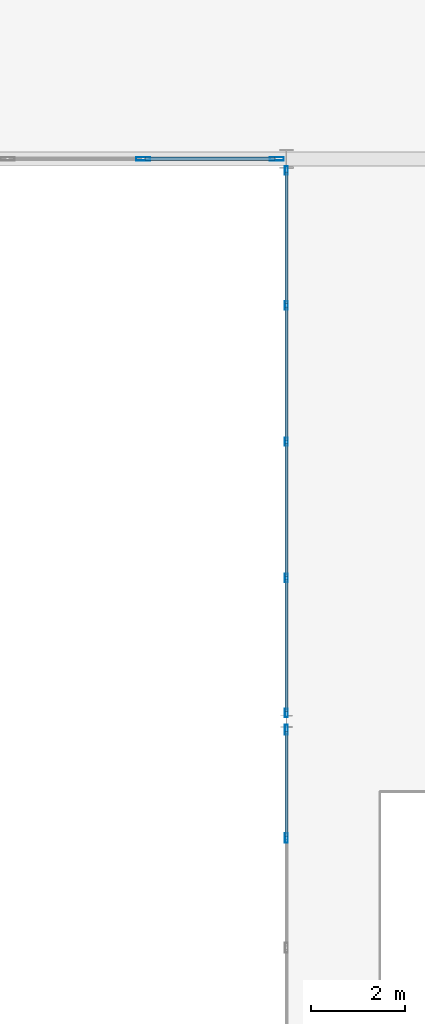
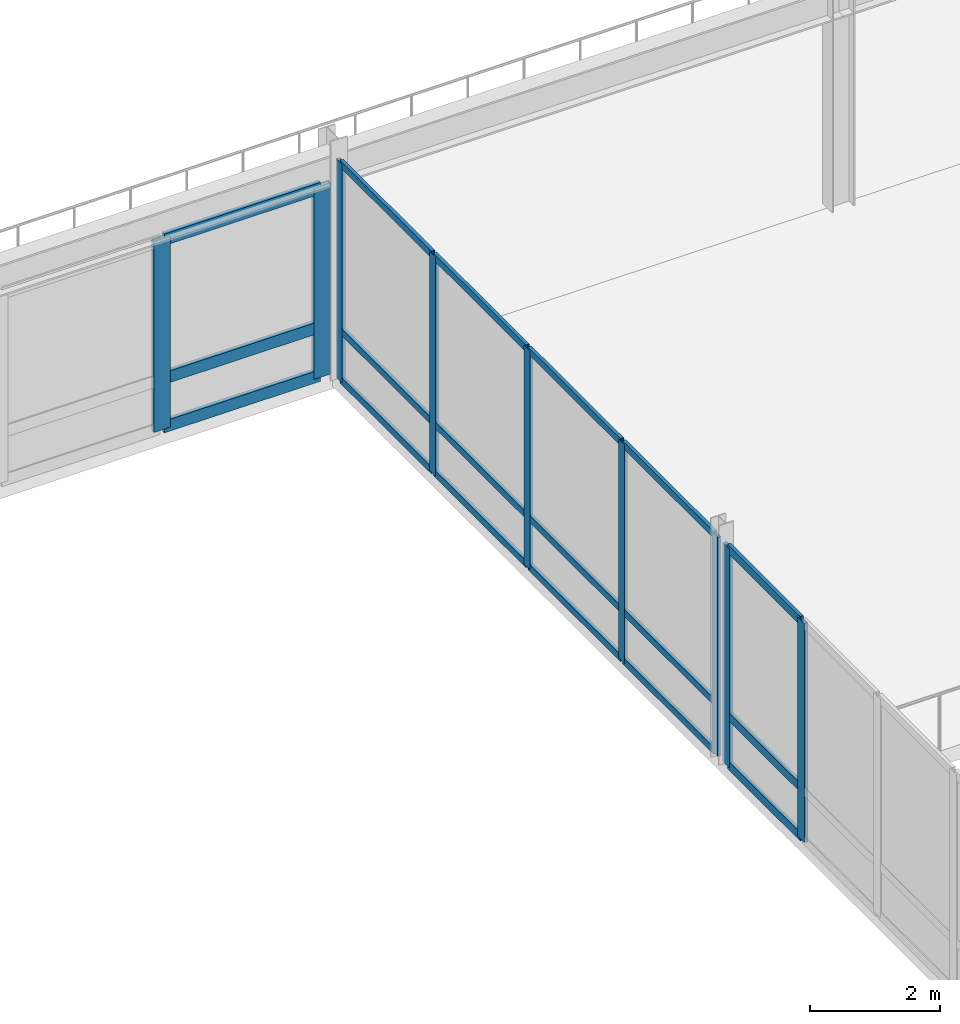
# One storey, part 56 of 115: 27 members, 3 elements without a shape of their own.
"""IFC4 building model written with IfcOpenShell, lengths in metres."""

from ifc_helpers import new_model, si_unit, direction, frame, origin, origin_2d, place, context, subcontext, project, spatial, hollow_rectangle, extrude, material, layer, layer_set, material_profile, profile_set, type_object, element, aggregate, save


model = new_model("IFC4")

# Units and contexts
model_context = context("Model", 3, precision=1e-05, world=origin(), true_north=direction((0.0, 1.0)))
body_context = subcontext(model_context, "Body", "Model", "MODEL_VIEW")
ifc_project = project(units=[si_unit("LENGTHUNIT", "METRE"), si_unit("AREAUNIT", "SQUARE_METRE"), si_unit("VOLUMEUNIT", "CUBIC_METRE"), si_unit("PLANEANGLEUNIT", "RADIAN"), si_unit("MASSUNIT", "GRAM", prefix="KILO")], contexts=[model_context])

# Site, building, storey
site_placement = place(None, origin())
site = spatial("IfcSite", under=ifc_project, at=site_placement, CompositionType="ELEMENT")
building_placement = place(site_placement, origin())
building = spatial("IfcBuilding", under=site, at=building_placement, Name="Montelvaro Courts of Justice", CompositionType="ELEMENT")
storey_placement = place(building_placement, frame((0.0, 0.0, 9.89990234375)))
storey = spatial("IfcBuildingStorey", under=building, at=storey_placement, Name="L02", CompositionType="ELEMENT", Elevation=9.89990234375)

# Curtain wall, members
ifc_material = material(Name="Anodised aluminium EN AW-6063", Category="aluminium")
ifc_layer_1 = layer(ifc_material, 0.159912109375)
ifc_layer_set_1 = layer_set([ifc_layer_1], Name="Anodised aluminium EN AW-6063")
curtain_wall_type_1 = type_object("IfcCurtainWallType", Name="CurtainWall_16_1165x418", PredefinedType="USERDEFINED", material=ifc_layer_set_1)
curtain_wall_1_placement = place(storey_placement, origin())
curtain_wall_1 = element("IfcCurtainWall", 1, at=curtain_wall_1_placement, inside=storey, type_object=curtain_wall_type_1, Name="Curtain Wall CW-16 (L02)", ObjectType="CURTAIN WALL", PredefinedType="USERDEFINED")
ifc_material_profile_1 = material_profile(ifc_material, hollow_rectangle(XDim=0.06005859375, YDim=0.179931640625, WallThickness=0.00439453125, at=origin_2d()), Name="ALU-M 60x180")
ifc_profile_set_1 = profile_set([ifc_material_profile_1], Name="Anodised aluminium EN AW-6063")
member_type_1 = type_object("IfcMemberType", Name="CurtainWall_Mullion_60x180", PredefinedType="MULLION", material=ifc_profile_set_1)
member_1_placement = place(storey_placement, frame((54.0, 77.7548828125, 0.0), z_axis=(0.0, 0.0, 1.0), x_axis=(1.0, 0.0, 0.0)))
member_1 = element("IfcMember", 2, at=member_1_placement, type_object=member_type_1, Name="CW-16 mullion 1", PredefinedType="MULLION", context=body_context, shape_type="SweptSolid", body=[
    extrude(hollow_rectangle(XDim=0.06005859375, YDim=0.179931640625, WallThickness=0.00439453125, at=origin_2d()), origin(), (0.0, 0.0, 1.0), 4.1201171875),
])
member_2_placement = place(storey_placement, frame((54.0, 74.875, 0.0), z_axis=(0.0, 0.0, 1.0), x_axis=(1.0, 0.0, 0.0)))
member_2 = element("IfcMember", 3, at=member_2_placement, type_object=member_type_1, Name="CW-16 mullion 2", PredefinedType="MULLION", context=body_context, shape_type="SweptSolid", body=[
    extrude(hollow_rectangle(XDim=0.06005859375, YDim=0.179931640625, WallThickness=0.00439453125, at=origin_2d()), origin(), (0.0, 0.0, 1.0), 4.1201171875),
])
member_3_placement = place(storey_placement, frame((54.0, 71.965087890625, 0.0), z_axis=(0.0, 0.0, 1.0), x_axis=(1.0, 0.0, 0.0)))
member_3 = element("IfcMember", 4, at=member_3_placement, type_object=member_type_1, Name="CW-16 mullion 3", PredefinedType="MULLION", context=body_context, shape_type="SweptSolid", body=[
    extrude(hollow_rectangle(XDim=0.06005859375, YDim=0.179931640625, WallThickness=0.00439453125, at=origin_2d()), origin(), (0.0, 0.0, 1.0), 4.1201171875),
])
member_4_placement = place(storey_placement, frame((54.0, 69.054931640625, 0.0), z_axis=(0.0, 0.0, 1.0), x_axis=(1.0, 0.0, 0.0)))
member_4 = element("IfcMember", 5, at=member_4_placement, type_object=member_type_1, Name="CW-16 mullion 4", PredefinedType="MULLION", context=body_context, shape_type="SweptSolid", body=[
    extrude(hollow_rectangle(XDim=0.06005859375, YDim=0.179931640625, WallThickness=0.00439453125, at=origin_2d()), origin(), (0.0, 0.0, 1.0), 4.1201171875),
])
member_5_placement = place(storey_placement, frame((54.0, 66.175048828125, 0.0), z_axis=(0.0, 0.0, 1.0), x_axis=(1.0, 0.0, 0.0)))
member_5 = element("IfcMember", 6, at=member_5_placement, type_object=member_type_1, Name="CW-16 mullion 5", PredefinedType="MULLION", context=body_context, shape_type="SweptSolid", body=[
    extrude(hollow_rectangle(XDim=0.06005859375, YDim=0.179931640625, WallThickness=0.00439453125, at=origin_2d()), origin(), (0.0, 0.0, 1.0), 4.1201171875),
])

ifc_layer_2 = layer(ifc_material, 0.159912109375)
ifc_layer_set_2 = layer_set([ifc_layer_2], Name="Anodised aluminium EN AW-6063")
curtain_wall_type_2 = type_object("IfcCurtainWallType", Name="CurtainWall_24_1169x418", PredefinedType="USERDEFINED", material=ifc_layer_set_2)
curtain_wall_2_placement = place(storey_placement, origin())
curtain_wall_2 = element("IfcCurtainWall", 7, at=curtain_wall_2_placement, inside=storey, type_object=curtain_wall_type_2, Name="Curtain Wall CW-24 (L02)", ObjectType="CURTAIN WALL", PredefinedType="USERDEFINED")
ifc_material_profile_2 = material_profile(ifc_material, hollow_rectangle(XDim=0.06494140625, YDim=0.2099609375, WallThickness=0.0048828125, at=origin_2d()), Name="ALU-M 65x210")
ifc_profile_set_2 = profile_set([ifc_material_profile_2], Name="Anodised aluminium EN AW-6063")
member_type_2 = type_object("IfcMemberType", Name="CurtainWall_Mullion_65x210", PredefinedType="MULLION", material=ifc_profile_set_2)
member_6_placement = place(storey_placement, frame((54.0, 65.822509765625, 0.0), z_axis=(0.0, 0.0, 1.0), x_axis=(1.0, 0.0, 0.0)))
member_6 = element("IfcMember", 8, at=member_6_placement, type_object=member_type_2, Name="CW-24 mullion 1", PredefinedType="MULLION", context=body_context, shape_type="SweptSolid", body=[
    extrude(hollow_rectangle(XDim=0.06494140625, YDim=0.2099609375, WallThickness=0.0048828125, at=origin_2d()), origin(), (0.0, 0.0, 1.0), 4.1201171875),
])
member_7_placement = place(storey_placement, frame((54.0, 63.512939453125, 0.0), z_axis=(0.0, 0.0, 1.0), x_axis=(1.0, 0.0, 0.0)))
member_7 = element("IfcMember", 9, at=member_7_placement, type_object=member_type_2, Name="CW-24 mullion 2", PredefinedType="MULLION", context=body_context, shape_type="SweptSolid", body=[
    extrude(hollow_rectangle(XDim=0.06494140625, YDim=0.2099609375, WallThickness=0.0048828125, at=origin_2d()), origin(), (0.0, 0.0, 1.0), 4.1201171875),
])

ifc_layer_3 = layer(ifc_material, 0.159912109375)
ifc_layer_set_3 = layer_set([ifc_layer_3], Name="Anodised aluminium EN AW-6063")
curtain_wall_type_3 = type_object("IfcCurtainWallType", Name="CurtainWall_14_867x418", PredefinedType="USERDEFINED", material=ifc_layer_set_3)
curtain_wall_3_placement = place(storey_placement, origin())
curtain_wall_3 = element("IfcCurtainWall", 10, at=curtain_wall_3_placement, inside=storey, type_object=curtain_wall_type_3, Name="Curtain Wall CW-14 (L02)", ObjectType="CURTAIN WALL", PredefinedType="USERDEFINED")
ifc_material_profile_3 = material_profile(ifc_material, hollow_rectangle(XDim=0.074951171875, YDim=0.300048828125, WallThickness=0.006103515625, at=origin_2d()), Name="ALU-M 75x300")
ifc_profile_set_3 = profile_set([ifc_material_profile_3], Name="Anodised aluminium EN AW-6063")
member_type_3 = type_object("IfcMemberType", Name="CurtainWall_Mullion_75x300", PredefinedType="MULLION", material=ifc_profile_set_3)
member_8_placement = place(storey_placement, frame((50.945068359375, 78.0, 0.0), z_axis=(0.0, 0.0, 1.0), x_axis=(0.0, 1.0, 0.0)))
member_8 = element("IfcMember", 11, at=member_8_placement, type_object=member_type_3, Name="CW-14 mullion 3", PredefinedType="MULLION", context=body_context, shape_type="SweptSolid", body=[
    extrude(hollow_rectangle(XDim=0.074951171875, YDim=0.300048828125, WallThickness=0.006103515625, at=origin_2d()), origin(), (0.0, 0.0, 1.0), 3.59521484375),
])
member_9_placement = place(storey_placement, frame((53.797607421875, 78.0, 0.0), z_axis=(0.0, 0.0, 1.0), x_axis=(0.0, 1.0, 0.0)))
member_9 = element("IfcMember", 12, at=member_9_placement, type_object=member_type_3, Name="CW-14 mullion 4", PredefinedType="MULLION", context=body_context, shape_type="SweptSolid", body=[
    extrude(hollow_rectangle(XDim=0.074951171875, YDim=0.300048828125, WallThickness=0.006103515625, at=origin_2d()), origin(), (0.0, 0.0, 1.0), 3.59521484375),
])

# Member
ifc_material_profile_4 = material_profile(ifc_material, hollow_rectangle(XDim=0.06005859375, YDim=0.1298828125, WallThickness=0.00390625, at=origin_2d()), Name="ALU-T 60x130")
ifc_profile_set_4 = profile_set([ifc_material_profile_4], Name="Anodised aluminium EN AW-6063")
member_type_4 = type_object("IfcMemberType", Name="CurtainWall_Transom_60x130", PredefinedType="USERDEFINED", material=ifc_profile_set_4)
member_10_placement = place(storey_placement, frame((54.0, 77.72509765625, 0.030029296875), z_axis=(0.0, -1.0, 0.0), x_axis=(1.0, 0.0, 0.0)))
member_10 = element("IfcMember", 13, at=member_10_placement, type_object=member_type_4, Name="CW-16 transom 1.1", ObjectType="TRANSOM", PredefinedType="USERDEFINED", context=body_context, shape_type="SweptSolid", body=[
    extrude(hollow_rectangle(XDim=0.06005859375, YDim=0.1298828125, WallThickness=0.00390625, at=origin_2d()), origin(), (0.0, 0.0, 1.0), 2.820068359375),
])

member_11_placement = place(storey_placement, frame((54.0, 77.72509765625, 0.9501953125), z_axis=(0.0, -1.0, 0.0), x_axis=(1.0, 0.0, 0.0)))
member_11 = element("IfcMember", 14, at=member_11_placement, type_object=member_type_4, Name="CW-16 transom 1.2", ObjectType="TRANSOM", PredefinedType="USERDEFINED", context=body_context, shape_type="SweptSolid", body=[
    extrude(hollow_rectangle(XDim=0.06005859375, YDim=0.1298828125, WallThickness=0.00390625, at=origin_2d()), origin(), (0.0, 0.0, 1.0), 2.820068359375),
])

member_12_placement = place(storey_placement, frame((54.0, 77.72509765625, 4.090087890625), z_axis=(0.0, -1.0, 0.0), x_axis=(1.0, 0.0, 0.0)))
member_12 = element("IfcMember", 15, at=member_12_placement, type_object=member_type_4, Name="CW-16 transom 1.3", ObjectType="TRANSOM", PredefinedType="USERDEFINED", context=body_context, shape_type="SweptSolid", body=[
    extrude(hollow_rectangle(XDim=0.06005859375, YDim=0.1298828125, WallThickness=0.00390625, at=origin_2d()), origin(), (0.0, 0.0, 1.0), 2.820068359375),
])

member_13_placement = place(storey_placement, frame((54.0, 74.844970703125, 0.030029296875), z_axis=(0.0, -1.0, 0.0), x_axis=(1.0, 0.0, 0.0)))
member_13 = element("IfcMember", 16, at=member_13_placement, type_object=member_type_4, Name="CW-16 transom 2.1", ObjectType="TRANSOM", PredefinedType="USERDEFINED", context=body_context, shape_type="SweptSolid", body=[
    extrude(hollow_rectangle(XDim=0.06005859375, YDim=0.1298828125, WallThickness=0.00390625, at=origin_2d()), origin(), (0.0, 0.0, 1.0), 2.849853515625),
])

member_14_placement = place(storey_placement, frame((54.0, 74.844970703125, 0.9501953125), z_axis=(0.0, -1.0, 0.0), x_axis=(1.0, 0.0, 0.0)))
member_14 = element("IfcMember", 17, at=member_14_placement, type_object=member_type_4, Name="CW-16 transom 2.2", ObjectType="TRANSOM", PredefinedType="USERDEFINED", context=body_context, shape_type="SweptSolid", body=[
    extrude(hollow_rectangle(XDim=0.06005859375, YDim=0.1298828125, WallThickness=0.00390625, at=origin_2d()), origin(), (0.0, 0.0, 1.0), 2.849853515625),
])

member_15_placement = place(storey_placement, frame((54.0, 74.844970703125, 4.090087890625), z_axis=(0.0, -1.0, 0.0), x_axis=(1.0, 0.0, 0.0)))
member_15 = element("IfcMember", 18, at=member_15_placement, type_object=member_type_4, Name="CW-16 transom 2.3", ObjectType="TRANSOM", PredefinedType="USERDEFINED", context=body_context, shape_type="SweptSolid", body=[
    extrude(hollow_rectangle(XDim=0.06005859375, YDim=0.1298828125, WallThickness=0.00390625, at=origin_2d()), origin(), (0.0, 0.0, 1.0), 2.849853515625),
])

member_16_placement = place(storey_placement, frame((54.0, 71.93505859375, 0.030029296875), z_axis=(0.0, -1.0, 0.0), x_axis=(1.0, 0.0, 0.0)))
member_16 = element("IfcMember", 19, at=member_16_placement, type_object=member_type_4, Name="CW-16 transom 3.1", ObjectType="TRANSOM", PredefinedType="USERDEFINED", context=body_context, shape_type="SweptSolid", body=[
    extrude(hollow_rectangle(XDim=0.06005859375, YDim=0.1298828125, WallThickness=0.00390625, at=origin_2d()), origin(), (0.0, 0.0, 1.0), 2.85009765625),
])

member_17_placement = place(storey_placement, frame((54.0, 71.93505859375, 0.9501953125), z_axis=(0.0, -1.0, 0.0), x_axis=(1.0, 0.0, 0.0)))
member_17 = element("IfcMember", 20, at=member_17_placement, type_object=member_type_4, Name="CW-16 transom 3.2", ObjectType="TRANSOM", PredefinedType="USERDEFINED", context=body_context, shape_type="SweptSolid", body=[
    extrude(hollow_rectangle(XDim=0.06005859375, YDim=0.1298828125, WallThickness=0.00390625, at=origin_2d()), origin(), (0.0, 0.0, 1.0), 2.85009765625),
])

member_18_placement = place(storey_placement, frame((54.0, 71.93505859375, 4.090087890625), z_axis=(0.0, -1.0, 0.0), x_axis=(1.0, 0.0, 0.0)))
member_18 = element("IfcMember", 21, at=member_18_placement, type_object=member_type_4, Name="CW-16 transom 3.3", ObjectType="TRANSOM", PredefinedType="USERDEFINED", context=body_context, shape_type="SweptSolid", body=[
    extrude(hollow_rectangle(XDim=0.06005859375, YDim=0.1298828125, WallThickness=0.00390625, at=origin_2d()), origin(), (0.0, 0.0, 1.0), 2.85009765625),
])

member_19_placement = place(storey_placement, frame((54.0, 69.02490234375, 0.030029296875), z_axis=(0.0, -1.0, 0.0), x_axis=(1.0, 0.0, 0.0)))
member_19 = element("IfcMember", 22, at=member_19_placement, type_object=member_type_4, Name="CW-16 transom 4.1", ObjectType="TRANSOM", PredefinedType="USERDEFINED", context=body_context, shape_type="SweptSolid", body=[
    extrude(hollow_rectangle(XDim=0.06005859375, YDim=0.1298828125, WallThickness=0.00390625, at=origin_2d()), origin(), (0.0, 0.0, 1.0), 2.81982421875),
])

member_20_placement = place(storey_placement, frame((54.0, 69.02490234375, 0.9501953125), z_axis=(0.0, -1.0, 0.0), x_axis=(1.0, 0.0, 0.0)))
member_20 = element("IfcMember", 23, at=member_20_placement, type_object=member_type_4, Name="CW-16 transom 4.2", ObjectType="TRANSOM", PredefinedType="USERDEFINED", context=body_context, shape_type="SweptSolid", body=[
    extrude(hollow_rectangle(XDim=0.06005859375, YDim=0.1298828125, WallThickness=0.00390625, at=origin_2d()), origin(), (0.0, 0.0, 1.0), 2.81982421875),
])

member_21_placement = place(storey_placement, frame((54.0, 69.02490234375, 4.090087890625), z_axis=(0.0, -1.0, 0.0), x_axis=(1.0, 0.0, 0.0)))
member_21 = element("IfcMember", 24, at=member_21_placement, type_object=member_type_4, Name="CW-16 transom 4.3", ObjectType="TRANSOM", PredefinedType="USERDEFINED", context=body_context, shape_type="SweptSolid", body=[
    extrude(hollow_rectangle(XDim=0.06005859375, YDim=0.1298828125, WallThickness=0.00390625, at=origin_2d()), origin(), (0.0, 0.0, 1.0), 2.81982421875),
])

aggregate(curtain_wall_1, [member_1, member_2, member_3, member_4, member_5, member_10, member_11, member_12, member_13, member_14, member_15, member_16, member_17, member_18, member_19, member_20, member_21])

ifc_material_profile_5 = material_profile(ifc_material, hollow_rectangle(XDim=0.06005859375, YDim=0.159912109375, WallThickness=0.00439453125, at=origin_2d()), Name="ALU-T 60x160")
ifc_profile_set_5 = profile_set([ifc_material_profile_5], Name="Anodised aluminium EN AW-6063")
member_type_5 = type_object("IfcMemberType", Name="CurtainWall_Transom_60x160", PredefinedType="USERDEFINED", material=ifc_profile_set_5)
member_22_placement = place(storey_placement, frame((54.0, 65.7900390625, 0.030029296875), z_axis=(0.0, -1.0, 0.0), x_axis=(1.0, 0.0, 0.0)))
member_22 = element("IfcMember", 25, at=member_22_placement, type_object=member_type_5, Name="CW-24 transom 1.1", ObjectType="TRANSOM", PredefinedType="USERDEFINED", context=body_context, shape_type="SweptSolid", body=[
    extrude(hollow_rectangle(XDim=0.06005859375, YDim=0.159912109375, WallThickness=0.00439453125, at=origin_2d()), origin(), (0.0, 0.0, 1.0), 2.24462890625),
])

member_23_placement = place(storey_placement, frame((54.0, 65.7900390625, 0.9501953125), z_axis=(0.0, -1.0, 0.0), x_axis=(1.0, 0.0, 0.0)))
member_23 = element("IfcMember", 26, at=member_23_placement, type_object=member_type_5, Name="CW-24 transom 1.2", ObjectType="TRANSOM", PredefinedType="USERDEFINED", context=body_context, shape_type="SweptSolid", body=[
    extrude(hollow_rectangle(XDim=0.06005859375, YDim=0.159912109375, WallThickness=0.00439453125, at=origin_2d()), origin(), (0.0, 0.0, 1.0), 2.24462890625),
])

member_24_placement = place(storey_placement, frame((54.0, 65.7900390625, 4.090087890625), z_axis=(0.0, -1.0, 0.0), x_axis=(1.0, 0.0, 0.0)))
member_24 = element("IfcMember", 27, at=member_24_placement, type_object=member_type_5, Name="CW-24 transom 1.3", ObjectType="TRANSOM", PredefinedType="USERDEFINED", context=body_context, shape_type="SweptSolid", body=[
    extrude(hollow_rectangle(XDim=0.06005859375, YDim=0.159912109375, WallThickness=0.00439453125, at=origin_2d()), origin(), (0.0, 0.0, 1.0), 2.24462890625),
])

aggregate(curtain_wall_2, [member_6, member_7, member_22, member_23, member_24])

ifc_material_profile_6 = material_profile(ifc_material, hollow_rectangle(XDim=0.074951171875, YDim=0.219970703125, WallThickness=0.005615234375, at=origin_2d()), Name="ALU-T 75x220")
ifc_profile_set_6 = profile_set([ifc_material_profile_6], Name="Anodised aluminium EN AW-6063")
member_type_6 = type_object("IfcMemberType", Name="CurtainWall_Transom_75x220", PredefinedType="USERDEFINED", material=ifc_profile_set_6)
member_25_placement = place(storey_placement, frame((50.982421875, 78.0, 0.03759765625), z_axis=(1.0, 0.0, 0.0), x_axis=(0.0, 1.0, 0.0)))
member_25 = element("IfcMember", 28, at=member_25_placement, type_object=member_type_6, Name="CW-14 transom 3.1", ObjectType="TRANSOM", PredefinedType="USERDEFINED", context=body_context, shape_type="SweptSolid", body=[
    extrude(hollow_rectangle(XDim=0.074951171875, YDim=0.219970703125, WallThickness=0.005615234375, at=origin_2d()), origin(), (0.0, 0.0, 1.0), 2.777587890625),
])

member_26_placement = place(storey_placement, frame((50.982421875, 78.0, 0.9501953125), z_axis=(1.0, 0.0, 0.0), x_axis=(0.0, 1.0, 0.0)))
member_26 = element("IfcMember", 29, at=member_26_placement, type_object=member_type_6, Name="CW-14 transom 3.2", ObjectType="TRANSOM", PredefinedType="USERDEFINED", context=body_context, shape_type="SweptSolid", body=[
    extrude(hollow_rectangle(XDim=0.074951171875, YDim=0.219970703125, WallThickness=0.005615234375, at=origin_2d()), origin(), (0.0, 0.0, 1.0), 2.777587890625),
])

member_27_placement = place(storey_placement, frame((50.982421875, 78.0, 3.5576171875), z_axis=(1.0, 0.0, 0.0), x_axis=(0.0, 1.0, 0.0)))
member_27 = element("IfcMember", 30, at=member_27_placement, type_object=member_type_6, Name="CW-14 transom 3.3", ObjectType="TRANSOM", PredefinedType="USERDEFINED", context=body_context, shape_type="SweptSolid", body=[
    extrude(hollow_rectangle(XDim=0.074951171875, YDim=0.219970703125, WallThickness=0.005615234375, at=origin_2d()), origin(), (0.0, 0.0, 1.0), 2.777587890625),
])

aggregate(curtain_wall_3, [member_8, member_9, member_25, member_26, member_27])

save(model, "model.ifc")
